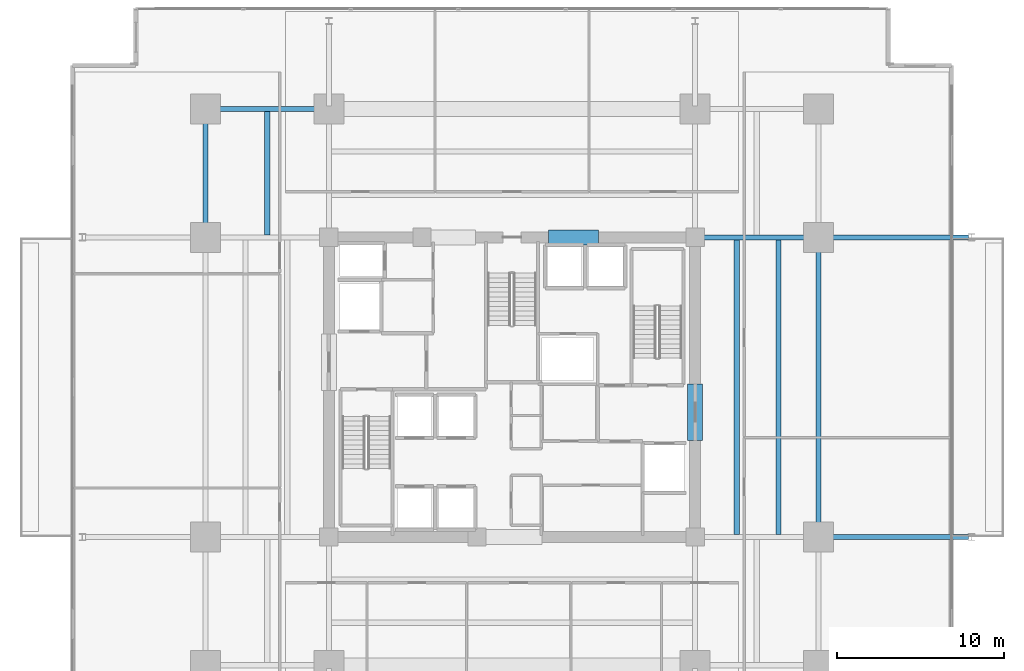
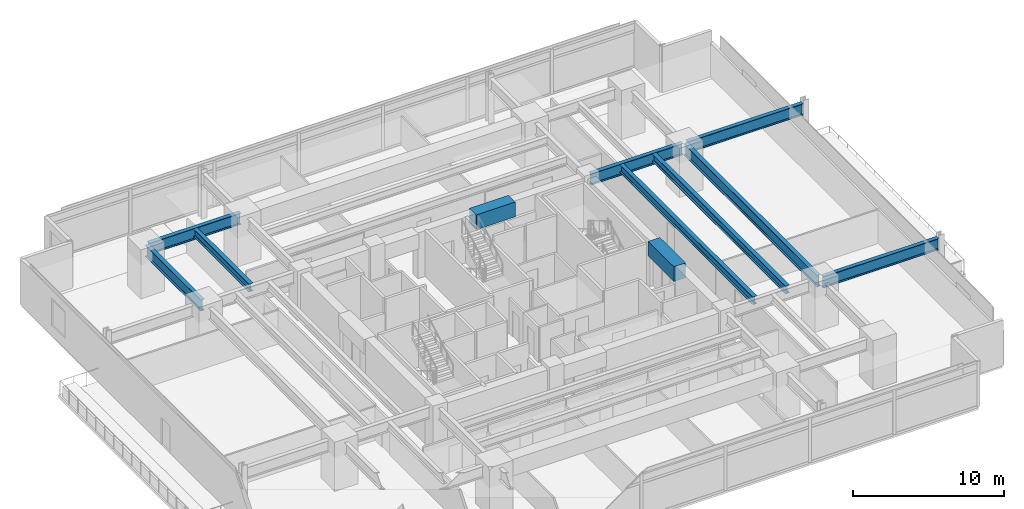
# One storey, part 7 of 23: 11 beams.
"""IFC4 building model written with IfcOpenShell, lengths in metres."""

from ifc_helpers import new_model, si_unit, direction, frame, origin, origin_2d, place, context, subcontext, project, spatial, rectangle, i_section, extrude, material, material_profile, profile_set, type_object, element, save


model = new_model("IFC4")

# Units and contexts
model_context = context("Model", 3, precision=1e-05, world=origin(), true_north=direction((0.0, 1.0)))
body_context = subcontext(model_context, "Body", "Model", "MODEL_VIEW")
ifc_project = project(units=[si_unit("LENGTHUNIT", "METRE"), si_unit("AREAUNIT", "SQUARE_METRE"), si_unit("VOLUMEUNIT", "CUBIC_METRE"), si_unit("PLANEANGLEUNIT", "RADIAN"), si_unit("MASSUNIT", "GRAM", prefix="KILO")], contexts=[model_context])

# Site, building, storey
site_placement = place(None, origin())
site = spatial("IfcSite", under=ifc_project, at=site_placement, CompositionType="ELEMENT")
building_placement = place(site_placement, origin())
building = spatial("IfcBuilding", under=site, at=building_placement, Name="Kovane Verandah Tower", CompositionType="ELEMENT")
storey_placement = place(building_placement, frame((0.0, 0.0, 103.60009765625)))
storey = spatial("IfcBuildingStorey", under=building, at=storey_placement, Name="L24", CompositionType="ELEMENT", Elevation=103.60009765625)

# Beams
ifc_material_1 = material(Name="Concrete C80/95", Category="concrete")
ifc_material_profile_1 = material_profile(ifc_material_1, rectangle(XDim=0.89990234375, YDim=1.199951171875, at=origin_2d()), Name="RCB900x1200")
ifc_profile_set_1 = profile_set([ifc_material_profile_1], Name="Concrete C80/95")
beam_type_1 = type_object("IfcBeamType", Name="BM-LINTEL-900x1200", PredefinedType="LINTEL", material=ifc_profile_set_1)
beam_1_placement = place(storey_placement, frame((42.199951171875, 36.5, 3.099853515625), z_axis=(1.0, 0.0, 0.0), x_axis=(0.0, 1.0, 0.0)))
element("IfcBeam", 1, at=beam_1_placement, inside=storey, type_object=beam_type_1, Name="L24 Core Coupling Lintel CL-N2", PredefinedType="LINTEL", context=body_context, shape_type="SweptSolid", body=[
    extrude(rectangle(XDim=0.89990234375, YDim=1.199951171875, at=origin_2d()), origin(), (0.0, 0.0, 1.0), 3.0),
])
beam_2_placement = place(storey_placement, frame((51.0, 24.300048828125, 3.099853515625), z_axis=(0.0, 1.0, 0.0), x_axis=(-1.0, 0.0, 0.0)))
element("IfcBeam", 2, at=beam_2_placement, inside=storey, type_object=beam_type_1, Name="L24 Core Coupling Lintel CL-E", PredefinedType="LINTEL", context=body_context, shape_type="SweptSolid", body=[
    extrude(rectangle(XDim=0.89990234375, YDim=1.199951171875, at=origin_2d()), origin(), (0.0, 0.0, 1.0), 3.39990234375),
])
ifc_material_2 = material(Name="Steel S460", Category="steel")
ifc_material_profile_2 = material_profile(ifc_material_2, i_section(OverallWidth=0.311279296875, OverallDepth=0.6357421875, WebThickness=0.018310546875, FlangeThickness=0.031494140625, FilletRadius=0.0166015625, at=origin_2d()), Name="UB610x305x238")
ifc_profile_set_2 = profile_set([ifc_material_profile_2], Name="Steel S460")
beam_type_2 = type_object("IfcBeamType", Name="BM-UB610x238", PredefinedType="BEAM", material=ifc_profile_set_2)
for number, where, z_axis, x_axis, name in (
    (3, (53.5, 18.65185546875, 3.382080078125), (0.0, 1.0, 0.0), (-1.0, 0.0, 0.0), "L24 Secondary Composite Joist J-E1"),
    (4, (56.0, 18.65185546875, 3.382080078125), (0.0, 1.0, 0.0), (-1.0, 0.0, 0.0), "L24 Secondary Composite Joist J-E2"),
):
    element("IfcBeam", number, at=place(storey_placement, frame(where, z_axis=z_axis, x_axis=x_axis)), inside=storey, type_object=beam_type_2, Name=name, PredefinedType="BEAM", context=body_context, shape_type="SweptSolid", body=[
        extrude(i_section(OverallWidth=0.311279296875, OverallDepth=0.6357421875, WebThickness=0.018310546875, FlangeThickness=0.031494140625, FilletRadius=0.0166015625, at=origin_2d()), origin(), (0.0, 0.0, 1.0), 17.6962890625),
    ])
beam_3_placement = place(storey_placement, frame((25.300048828125, 36.65185546875, 3.382080078125), z_axis=(0.0, 1.0, 0.0), x_axis=(-1.0, 0.0, 0.0)))
element("IfcBeam", 5, at=beam_3_placement, inside=storey, type_object=beam_type_2, Name="L24 Secondary Composite Joist J-NW1", PredefinedType="BEAM", context=body_context, shape_type="SweptSolid", body=[
    extrude(i_section(OverallWidth=0.311279296875, OverallDepth=0.6357421875, WebThickness=0.018310546875, FlangeThickness=0.031494140625, FilletRadius=0.0166015625, at=origin_2d()), origin(), (0.0, 0.0, 1.0), 7.396240234375),
])
ifc_material_profile_3 = material_profile(ifc_material_2, i_section(OverallWidth=0.3076171875, OverallDepth=0.926513671875, WebThickness=0.01953125, FlangeThickness=0.031982421875, FilletRadius=0.01904296875, at=origin_2d()), Name="UB914x305x289")
ifc_profile_set_3 = profile_set([ifc_material_profile_3], Name="Steel S460")
beam_type_3 = type_object("IfcBeamType", Name="BM-UB914x289", PredefinedType="BEAM", material=ifc_profile_set_3)
beam_4_placement = place(storey_placement, frame((21.780029296875, 44.199951171875, 3.236572265625), z_axis=(1.0, 0.0, 0.0), x_axis=(0.0, 1.0, 0.0)))
element("IfcBeam", 6, at=beam_4_placement, inside=storey, type_object=beam_type_3, Name="L24 Primary Tower Girder G-RN1", PredefinedType="BEAM", context=body_context, shape_type="SweptSolid", body=[
    extrude(i_section(OverallWidth=0.3076171875, OverallDepth=0.926513671875, WebThickness=0.01953125, FlangeThickness=0.031982421875, FilletRadius=0.01904296875, at=origin_2d()), origin(), (0.0, 0.0, 1.0), 7.0400390625),
])
beam_5_placement = place(storey_placement, frame((21.60009765625, 36.679931640625, 3.236572265625), z_axis=(0.0, 1.0, 0.0), x_axis=(-1.0, 0.0, 0.0)))
element("IfcBeam", 7, at=beam_5_placement, inside=storey, type_object=beam_type_3, Name="L24 Primary Tower Girder G-RW3", PredefinedType="BEAM", context=body_context, shape_type="SweptSolid", body=[
    extrude(i_section(OverallWidth=0.3076171875, OverallDepth=0.926513671875, WebThickness=0.01953125, FlangeThickness=0.031982421875, FilletRadius=0.01904296875, at=origin_2d()), origin(), (0.0, 0.0, 1.0), 7.340087890625),
])
beam_6_placement = place(storey_placement, frame((58.39990234375, 18.679931640625, 3.236572265625), z_axis=(0.0, 1.0, 0.0), x_axis=(-1.0, 0.0, 0.0)))
element("IfcBeam", 8, at=beam_6_placement, inside=storey, type_object=beam_type_3, Name="L24 Primary Tower Girder G-RE2", PredefinedType="BEAM", context=body_context, shape_type="SweptSolid", body=[
    extrude(i_section(OverallWidth=0.3076171875, OverallDepth=0.926513671875, WebThickness=0.01953125, FlangeThickness=0.031982421875, FilletRadius=0.01904296875, at=origin_2d()), origin(), (0.0, 0.0, 1.0), 17.64013671875),
])
beam_7_placement = place(storey_placement, frame((51.179931640625, 36.5, 3.236572265625), z_axis=(1.0, 0.0, 0.0), x_axis=(0.0, 1.0, 0.0)))
element("IfcBeam", 9, at=beam_7_placement, inside=storey, type_object=beam_type_3, Name="L24 Primary Tower Girder G-E2", PredefinedType="BEAM", context=body_context, shape_type="SweptSolid", body=[
    extrude(i_section(OverallWidth=0.3076171875, OverallDepth=0.926513671875, WebThickness=0.01953125, FlangeThickness=0.031982421875, FilletRadius=0.01904296875, at=origin_2d()), origin(), (0.0, 0.0, 1.0), 7.0400390625),
])
for number, where, z_axis, x_axis, name in (
    (10, (58.580078125, 18.5, 3.236572265625), (1.0, 0.0, 0.0), (0.0, 1.0, 0.0), "L24 Primary Tower Girder G-VE1"),
    (11, (58.580078125, 36.5, 3.236572265625), (1.0, 0.0, 0.0), (0.0, 1.0, 0.0), "L24 Primary Tower Girder G-VE2"),
):
    element("IfcBeam", number, at=place(storey_placement, frame(where, z_axis=z_axis, x_axis=x_axis)), inside=storey, type_object=beam_type_3, Name=name, PredefinedType="BEAM", context=body_context, shape_type="SweptSolid", body=[
        extrude(i_section(OverallWidth=0.3076171875, OverallDepth=0.926513671875, WebThickness=0.01953125, FlangeThickness=0.031982421875, FilletRadius=0.01904296875, at=origin_2d()), origin(), (0.0, 0.0, 1.0), 8.83984375),
    ])

save(model, "model.ifc")
